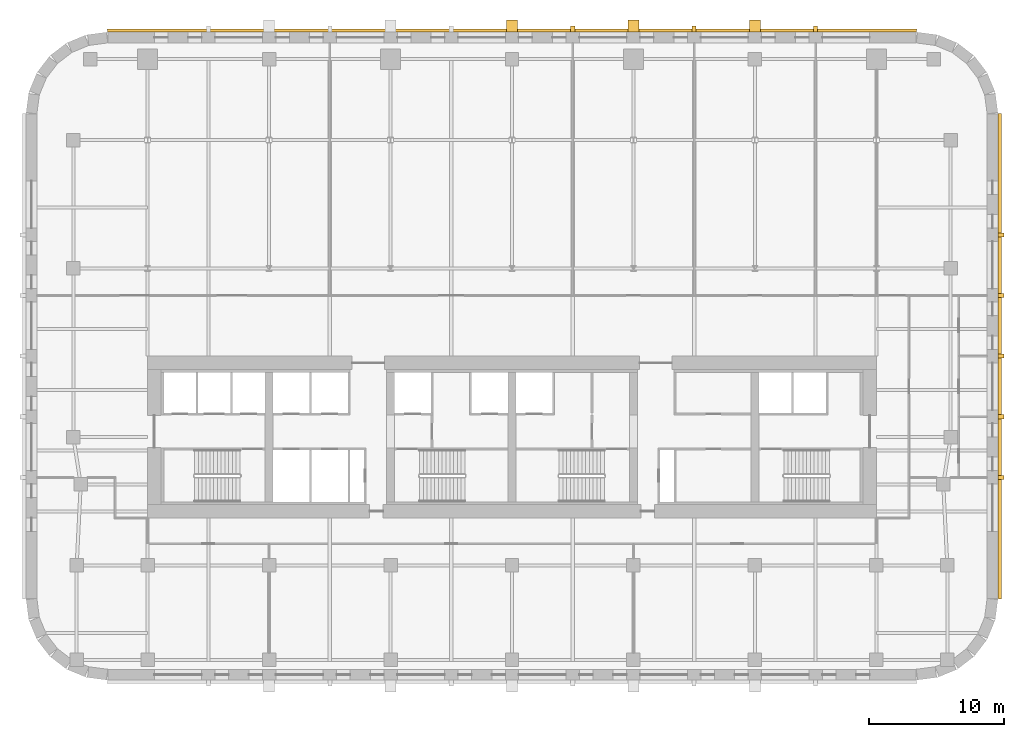
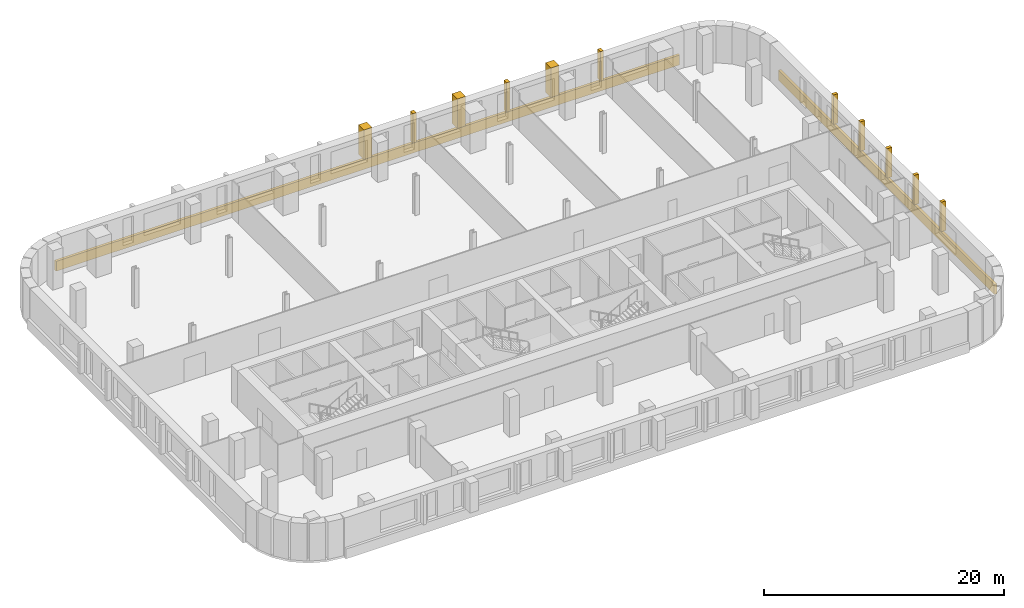
# One storey, part 9 of 9: 13 coverings.
"""IFC4 building model written with IfcOpenShell, lengths in metres."""

from ifc_helpers import new_model, si_unit, direction, frame, origin, place, context, subcontext, project, spatial, polyline, outline, extrude, material, layer, layer_set, type_object, element, save


model = new_model("IFC4")

# Units and contexts
model_context = context("Model", 3, precision=1e-05, world=origin(), true_north=direction((0.0, 1.0)))
body_context = subcontext(model_context, "Body", "Model", "MODEL_VIEW")
ifc_project = project(units=[si_unit("LENGTHUNIT", "METRE"), si_unit("AREAUNIT", "SQUARE_METRE"), si_unit("VOLUMEUNIT", "CUBIC_METRE"), si_unit("PLANEANGLEUNIT", "RADIAN"), si_unit("MASSUNIT", "GRAM", prefix="KILO")], contexts=[model_context])

# Site, building, storey
site_placement = place(None, origin())
site = spatial("IfcSite", under=ifc_project, at=site_placement, CompositionType="ELEMENT")
building_placement = place(site_placement, origin())
building = spatial("IfcBuilding", under=site, at=building_placement, Name="Zellij Exchange Tower", CompositionType="ELEMENT")
storey_placement = place(building_placement, frame((0.0, 0.0, 148.5)))
storey = spatial("IfcBuildingStorey", under=building, at=storey_placement, Name="L33", CompositionType="ELEMENT", Elevation=148.5)

# Coverings
ifc_material = material(Name="Limestone cladding", Category="masonry")
covering_type_1 = type_object("IfcCoveringType", Name="ENV-CV5 Stone pier 800x900", PredefinedType="CLADDING", material=ifc_material)
covering_1_placement = place(storey_placement, frame((0.0, 0.0, 0.800048828125)))
element("IfcCovering", 1, at=covering_1_placement, inside=storey, type_object=covering_type_1, Name="Stone pier", PredefinedType="CLADDING", context=body_context, shape_type="SweptSolid", body=[
    extrude(outline(polyline([(18.39990234375, 22.0), (17.60009765625, 22.0), (17.60009765625, 22.89990234375), (18.39990234375, 22.89990234375), (18.39990234375, 22.0)])), origin(), (0.0, 0.0, 1.0), 3.0),
])
covering_2_placement = place(storey_placement, frame((0.0, 0.0, 0.800048828125)))
element("IfcCovering", 2, at=covering_2_placement, inside=storey, type_object=covering_type_1, Name="Stone pier", PredefinedType="CLADDING", context=body_context, shape_type="SweptSolid", body=[
    extrude(outline(polyline([(9.39990234375, 22.0), (8.60009765625, 22.0), (8.60009765625, 22.89990234375), (9.39990234375, 22.89990234375), (9.39990234375, 22.0)])), origin(), (0.0, 0.0, 1.0), 3.0),
])
covering_3_placement = place(storey_placement, frame((0.0, 0.0, 0.800048828125)))
element("IfcCovering", 3, at=covering_3_placement, inside=storey, type_object=covering_type_1, Name="Stone pier", PredefinedType="CLADDING", context=body_context, shape_type="SweptSolid", body=[
    extrude(outline(polyline([(0.39990234375, 22.0), (-0.39990234375, 22.0), (-0.39990234375, 22.89990234375), (0.39990234375, 22.89990234375), (0.39990234375, 22.0)])), origin(), (0.0, 0.0, 1.0), 3.0),
])
covering_type_2 = type_object("IfcCoveringType", Name="ENV-CV7 Stone pier 300x450", PredefinedType="CLADDING", material=ifc_material)
covering_4_placement = place(storey_placement, frame((0.0, 0.0, 0.800048828125)))
element("IfcCovering", 4, at=covering_4_placement, inside=storey, type_object=covering_type_2, Name="Stone pier", PredefinedType="CLADDING", context=body_context, shape_type="SweptSolid", body=[
    extrude(outline(polyline([(36.0, -11.136962890625), (36.0, -10.8369140625), (36.449951171875, -10.8369140625), (36.449951171875, -11.136962890625), (36.0, -11.136962890625)])), origin(), (0.0, 0.0, 1.0), 3.0),
])
covering_5_placement = place(storey_placement, frame((0.0, 0.0, 0.800048828125)))
element("IfcCovering", 5, at=covering_5_placement, inside=storey, type_object=covering_type_2, Name="Stone pier", PredefinedType="CLADDING", context=body_context, shape_type="SweptSolid", body=[
    extrude(outline(polyline([(36.0, -6.6435546875), (36.0, -6.343505859375), (36.449951171875, -6.343505859375), (36.449951171875, -6.6435546875), (36.0, -6.6435546875)])), origin(), (0.0, 0.0, 1.0), 3.0),
])
covering_6_placement = place(storey_placement, frame((0.0, 0.0, 0.800048828125)))
element("IfcCovering", 6, at=covering_6_placement, inside=storey, type_object=covering_type_2, Name="Stone pier", PredefinedType="CLADDING", context=body_context, shape_type="SweptSolid", body=[
    extrude(outline(polyline([(36.0, -2.14990234375), (36.0, -1.85009765625), (36.449951171875, -1.85009765625), (36.449951171875, -2.14990234375), (36.0, -2.14990234375)])), origin(), (0.0, 0.0, 1.0), 3.0),
])
covering_7_placement = place(storey_placement, frame((0.0, 0.0, 0.800048828125)))
element("IfcCovering", 7, at=covering_7_placement, inside=storey, type_object=covering_type_2, Name="Stone pier", PredefinedType="CLADDING", context=body_context, shape_type="SweptSolid", body=[
    extrude(outline(polyline([(36.0, 2.343505859375), (36.0, 2.643310546875), (36.449951171875, 2.643310546875), (36.449951171875, 2.343505859375), (36.0, 2.343505859375)])), origin(), (0.0, 0.0, 1.0), 3.0),
])
covering_8_placement = place(storey_placement, frame((0.0, 0.0, 0.800048828125)))
element("IfcCovering", 8, at=covering_8_placement, inside=storey, type_object=covering_type_2, Name="Stone pier", PredefinedType="CLADDING", context=body_context, shape_type="SweptSolid", body=[
    extrude(outline(polyline([(36.0, 6.8369140625), (36.0, 7.136962890625), (36.449951171875, 7.136962890625), (36.449951171875, 6.8369140625), (36.0, 6.8369140625)])), origin(), (0.0, 0.0, 1.0), 3.0),
])
covering_9_placement = place(storey_placement, frame((0.0, 0.0, 0.800048828125)))
element("IfcCovering", 9, at=covering_9_placement, inside=storey, type_object=covering_type_2, Name="Stone pier", PredefinedType="CLADDING", context=body_context, shape_type="SweptSolid", body=[
    extrude(outline(polyline([(22.64990234375, 22.0), (22.35009765625, 22.0), (22.35009765625, 22.449951171875), (22.64990234375, 22.449951171875), (22.64990234375, 22.0)])), origin(), (0.0, 0.0, 1.0), 3.0),
])
covering_10_placement = place(storey_placement, frame((0.0, 0.0, 0.800048828125)))
element("IfcCovering", 10, at=covering_10_placement, inside=storey, type_object=covering_type_2, Name="Stone pier", PredefinedType="CLADDING", context=body_context, shape_type="SweptSolid", body=[
    extrude(outline(polyline([(13.64990234375, 22.0), (13.35009765625, 22.0), (13.35009765625, 22.449951171875), (13.64990234375, 22.449951171875), (13.64990234375, 22.0)])), origin(), (0.0, 0.0, 1.0), 3.0),
])
covering_11_placement = place(storey_placement, frame((0.0, 0.0, 0.800048828125)))
element("IfcCovering", 11, at=covering_11_placement, inside=storey, type_object=covering_type_2, Name="Stone pier", PredefinedType="CLADDING", context=body_context, shape_type="SweptSolid", body=[
    extrude(outline(polyline([(4.64990234375, 22.0), (4.35009765625, 22.0), (4.35009765625, 22.449951171875), (4.64990234375, 22.449951171875), (4.64990234375, 22.0)])), origin(), (0.0, 0.0, 1.0), 3.0),
])
ifc_layer = layer(ifc_material, 0.25)
ifc_layer_set = layer_set([ifc_layer], Name="Limestone cladding")
covering_type_3 = type_object("IfcCoveringType", Name="ENV-CV8 Stone spandrel band 250", PredefinedType="CLADDING", material=ifc_layer_set)
covering_12_placement = place(storey_placement, frame((0.0, 0.0, -0.199951171875)))
element("IfcCovering", 12, at=covering_12_placement, inside=storey, type_object=covering_type_3, Name="Stone spandrel band", PredefinedType="CLADDING", context=body_context, shape_type="SweptSolid", body=[
    extrude(outline(polyline([(36.0, -19.973876953125), (36.0, 15.973876953125), (36.25, 15.990234375), (36.25, -19.990234375), (36.0, -19.973876953125)])), origin(), (0.0, 0.0, 1.0), 1.0),
])
covering_13_placement = place(storey_placement, frame((0.0, 0.0, -0.199951171875)))
element("IfcCovering", 13, at=covering_13_placement, inside=storey, type_object=covering_type_3, Name="Stone spandrel band", PredefinedType="CLADDING", context=body_context, shape_type="SweptSolid", body=[
    extrude(outline(polyline([(29.973876953125, 22.0), (-29.973876953125, 22.0), (-29.990234375, 22.25), (29.990234375, 22.25), (29.973876953125, 22.0)])), origin(), (0.0, 0.0, 1.0), 1.0),
])

save(model, "model.ifc")
